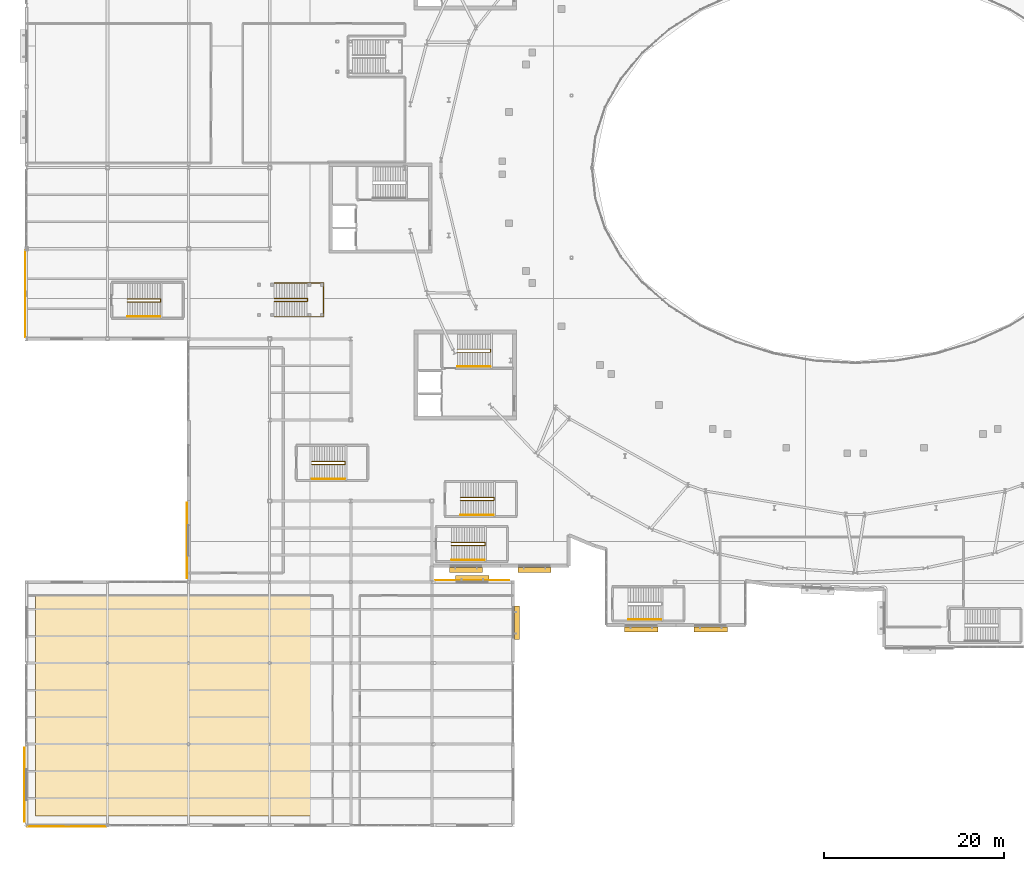
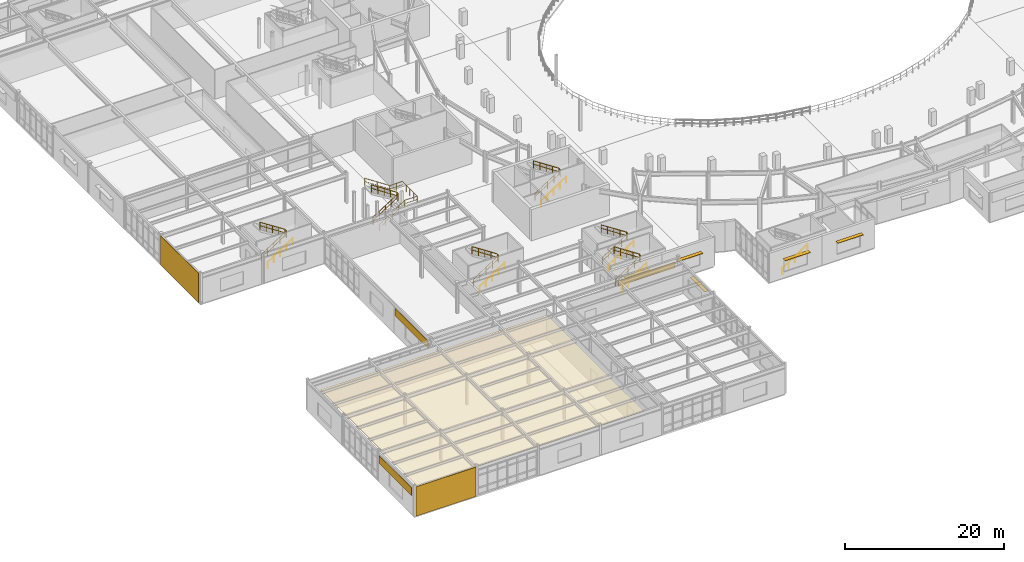
# One storey, part 78 of 84: 13 railings, 6 coverings, 6 shading devices.
"""IFC4 building model written with IfcOpenShell, lengths in metres."""

from ifc_helpers import new_model, si_unit, direction, frame, origin, origin_2d, place, context, subcontext, project, spatial, polyline, rectangle, circle, outline, extrude, material, layer, layer_set, type_object, element, save


model = new_model("IFC4")

# Units and contexts
model_context = context("Model", 3, precision=1e-05, world=origin(), true_north=direction((0.0, 1.0)))
body_context = subcontext(model_context, "Body", "Model", "MODEL_VIEW")
ifc_project = project(units=[si_unit("LENGTHUNIT", "METRE"), si_unit("AREAUNIT", "SQUARE_METRE"), si_unit("VOLUMEUNIT", "CUBIC_METRE"), si_unit("PLANEANGLEUNIT", "RADIAN"), si_unit("MASSUNIT", "GRAM", prefix="KILO")], contexts=[model_context])

# Site, building, storey
site_placement = place(None, origin())
site = spatial("IfcSite", under=ifc_project, at=site_placement, CompositionType="ELEMENT")
building_placement = place(site_placement, origin())
building = spatial("IfcBuilding", under=site, at=building_placement, Name="Glasvene Arena", CompositionType="ELEMENT")
storey_placement = place(building_placement, frame((0.0, 0.0, 10.199951171875)))
storey = spatial("IfcBuildingStorey", under=building, at=storey_placement, Name="L02", CompositionType="ELEMENT", Elevation=10.199951171875)

# Coverings
ifc_material_1 = material(Name="Perforated acoustic mineral ceiling tile")
ifc_layer_1 = layer(ifc_material_1, 0.0400390625)
ifc_layer_set_1 = layer_set([ifc_layer_1], Name="Perforated acoustic mineral ceiling tile")
covering_type_1 = type_object("IfcCoveringType", Name="COV-CEIL-AC", PredefinedType="CEILING", material=ifc_layer_set_1)
covering_1_placement = place(storey_placement, frame((17.5, 13.25, 3.580078125)))
element("IfcCovering", 1, at=covering_1_placement, inside=storey, type_object=covering_type_1, Name="Acoustic suspended ceiling Prairie Foyer Panorama Lounge", PredefinedType="CEILING", context=body_context, shape_type="SweptSolid", body=[
    extrude(outline(polyline([(16.47998046875, 12.22998046875), (16.47998046875, -12.22998046875), (-16.47998046875, -12.22998046875), (-16.47998046875, 12.22998046875), (16.47998046875, 12.22998046875)])), origin(), (0.0, 0.0, 1.0), 0.0400390625),
])
ifc_material_2 = material(Name="Coursed pale Irish limestone", Category="masonry")
ifc_layer_2 = layer(ifc_material_2, 0.050048828125)
ifc_layer_set_2 = layer_set([ifc_layer_2], Name="Coursed pale Irish limestone")
covering_type_2 = type_object("IfcCoveringType", Name="COV-CLAD-LIM", PredefinedType="CLADDING", material=ifc_layer_set_2)
covering_2_placement = place(storey_placement, frame((-0.139892578125, 58.998291015625, 0.0), z_axis=(0.0, 0.0, 1.0), x_axis=(0.0, 1.0, 0.0)))
element("IfcCovering", 2, at=covering_2_placement, inside=storey, type_object=covering_type_2, Name="Braced bay architectural cladding screen L02-000", PredefinedType="CLADDING", context=body_context, shape_type="SweptSolid", body=[
    extrude(rectangle(XDim=9.6328125, YDim=0.050048828125, at=origin_2d()), origin(), (0.0, 0.0, 1.0), 4.52001953125),
])
covering_3_placement = place(storey_placement, frame((49.489013671875, 27.199951171875, 2.9501953125), z_axis=(0.0, 0.0, 1.0), x_axis=(1.0, 0.0, 0.0)))
element("IfcCovering", 3, at=covering_3_placement, inside=storey, type_object=covering_type_2, Name="Irish limestone spandrel cladding EW-L02-0169", PredefinedType="CLADDING", context=body_context, shape_type="SweptSolid", body=[
    extrude(rectangle(XDim=8.2177734375, YDim=0.050048828125, at=origin_2d()), origin(), (0.0, 0.0, 1.0), 0.907470703125),
])
covering_4_placement = place(storey_placement, frame((4.489013671875, -0.139892578125, 0.0), z_axis=(0.0, 0.0, 1.0), x_axis=(-1.0, 0.0, 0.0)))
element("IfcCovering", 4, at=covering_4_placement, inside=storey, type_object=covering_type_2, Name="Braced bay architectural cladding screen L02-074", PredefinedType="CLADDING", context=body_context, shape_type="SweptSolid", body=[
    extrude(rectangle(XDim=8.7578125, YDim=0.050048828125, at=origin_2d()), origin(), (0.0, 0.0, 1.0), 4.52001953125),
])
covering_5_placement = place(storey_placement, frame((-0.199951171875, 4.489990234375, 2.9501953125), z_axis=(0.0, 0.0, 1.0), x_axis=(0.0, 1.0, 0.0)))
element("IfcCovering", 5, at=covering_5_placement, inside=storey, type_object=covering_type_2, Name="Irish limestone spandrel cladding EW-L02-0175", PredefinedType="CLADDING", context=body_context, shape_type="SweptSolid", body=[
    extrude(rectangle(XDim=8.2158203125, YDim=0.050048828125, at=origin_2d()), origin(), (0.0, 0.0, 1.0), 1.215087890625),
])
covering_6_placement = place(storey_placement, frame((17.800048828125, 31.593017578125, 2.9501953125), z_axis=(0.0, 0.0, 1.0), x_axis=(0.0, 1.0, 0.0)))
element("IfcCovering", 6, at=covering_6_placement, inside=storey, type_object=covering_type_2, Name="Irish limestone spandrel cladding EW-L02-0178", PredefinedType="CLADDING", context=body_context, shape_type="SweptSolid", body=[
    extrude(rectangle(XDim=8.382080078125, YDim=0.050048828125, at=origin_2d()), origin(), (0.0, 0.0, 1.0), 1.114990234375),
])

# Railings
ifc_material_3 = material(Name="Brushed stainless steel", Category="steel")
railing_type_1 = type_object("IfcRailingType", Name="RL-GUARD-1100", PredefinedType="GUARDRAIL", material=ifc_material_3)
railing_1_placement = place(storey_placement, frame((47.85009765625, 52.510009765625, 0.0)))
element("IfcRailing", 7, at=railing_1_placement, inside=storey, type_object=railing_type_1, Name="Stair inner well continuous guardrail ST-03-L02", PredefinedType="GUARDRAIL", context=body_context, shape_type="SweptSolid", body=[
    extrude(circle(Radius=0.02392578125, at=origin_2d()), frame((0.0, 0.0, 1.076171875), z_axis=(0.837590697589, 0.0, 0.546298291515), x_axis=(0.0, 1.0, 0.0)), (0.0, 0.0, 1.0), 4.3935546875),
    extrude(circle(Radius=0.01611328125, at=origin_2d()), frame((0.0, 0.0, 0.550048828125), z_axis=(0.837590697589, 0.0, 0.546298291515), x_axis=(0.0, 1.0, 0.0)), (0.0, 0.0, 1.0), 4.3935546875),
    extrude(circle(Radius=0.02392578125, at=origin_2d()), frame((3.679931640625, 0.0, 3.47607421875), z_axis=(0.0, 1.0, 0.0), x_axis=(-1.0, 0.0, 0.0)), (0.0, 0.0, 1.0), 0.330078125),
    extrude(circle(Radius=0.01611328125, at=origin_2d()), frame((3.679931640625, 0.0, 2.9501953125), z_axis=(0.0, 1.0, 0.0), x_axis=(-1.0, 0.0, 0.0)), (0.0, 0.0, 1.0), 0.330078125),
    extrude(circle(Radius=0.02392578125, at=origin_2d()), frame((3.679931640625, 0.330078125, 3.47607421875), z_axis=(-0.837616124378, 0.0, 0.546259304892), x_axis=(0.0, -1.0, 0.0)), (0.0, 0.0, 1.0), 4.393310546875),
    extrude(circle(Radius=0.01611328125, at=origin_2d()), frame((3.679931640625, 0.330078125, 2.9501953125), z_axis=(-0.837616124378, 0.0, 0.546259304892), x_axis=(0.0, -1.0, 0.0)), (0.0, 0.0, 1.0), 4.393310546875),
    extrude(circle(Radius=0.02099609375, at=origin_2d()), origin(), (0.0, 0.0, 1.0), 1.052001953125),
    extrude(circle(Radius=0.02099609375, at=origin_2d()), frame((0.919921875, 0.0, 0.60009765625)), (0.0, 0.0, 1.0), 1.052001953125),
    extrude(circle(Radius=0.02099609375, at=origin_2d()), frame((1.83984375, 0.0, 1.2001953125)), (0.0, 0.0, 1.0), 1.052001953125),
    extrude(circle(Radius=0.02099609375, at=origin_2d()), frame((2.760009765625, 0.0, 1.800048828125)), (0.0, 0.0, 1.0), 1.052001953125),
    extrude(circle(Radius=0.02099609375, at=origin_2d()), frame((3.679931640625, 0.0, 2.400146484375)), (0.0, 0.0, 1.0), 1.052001953125),
    extrude(circle(Radius=0.02099609375, at=origin_2d()), frame((3.679931640625, 0.330078125, 2.400146484375)), (0.0, 0.0, 1.0), 1.052001953125),
    extrude(circle(Radius=0.02099609375, at=origin_2d()), frame((2.760009765625, 0.330078125, 3.0)), (0.0, 0.0, 1.0), 1.052001953125),
    extrude(circle(Radius=0.02099609375, at=origin_2d()), frame((1.83984375, 0.330078125, 3.60009765625)), (0.0, 0.0, 1.0), 1.052001953125),
    extrude(circle(Radius=0.02099609375, at=origin_2d()), frame((0.919921875, 0.330078125, 4.2001953125)), (0.0, 0.0, 1.0), 1.052001953125),
    extrude(circle(Radius=0.02099609375, at=origin_2d()), frame((0.0, 0.330078125, 4.800048828125)), (0.0, 0.0, 1.0), 1.052001953125),
])
railing_2_placement = place(storey_placement, frame((48.199951171875, 36.06005859375, 0.0)))
element("IfcRailing", 8, at=railing_2_placement, inside=storey, type_object=railing_type_1, Name="Stair inner well continuous guardrail ST-05-L02", PredefinedType="GUARDRAIL", context=body_context, shape_type="SweptSolid", body=[
    extrude(circle(Radius=0.02392578125, at=origin_2d()), frame((0.0, 0.0, 1.076171875), z_axis=(0.837590697589, 0.0, 0.546298291515), x_axis=(0.0, 1.0, 0.0)), (0.0, 0.0, 1.0), 4.3935546875),
    extrude(circle(Radius=0.01611328125, at=origin_2d()), frame((0.0, 0.0, 0.550048828125), z_axis=(0.837590697589, 0.0, 0.546298291515), x_axis=(0.0, 1.0, 0.0)), (0.0, 0.0, 1.0), 4.3935546875),
    extrude(circle(Radius=0.02392578125, at=origin_2d()), frame((3.679931640625, 0.0, 3.47607421875), z_axis=(0.0, 1.0, 0.0), x_axis=(-1.0, 0.0, 0.0)), (0.0, 0.0, 1.0), 0.329833984375),
    extrude(circle(Radius=0.01611328125, at=origin_2d()), frame((3.679931640625, 0.0, 2.9501953125), z_axis=(0.0, 1.0, 0.0), x_axis=(-1.0, 0.0, 0.0)), (0.0, 0.0, 1.0), 0.329833984375),
    extrude(circle(Radius=0.02392578125, at=origin_2d()), frame((3.679931640625, 0.329833984375, 3.47607421875), z_axis=(-0.837616124378, 0.0, 0.546259304892), x_axis=(0.0, -1.0, 0.0)), (0.0, 0.0, 1.0), 4.393310546875),
    extrude(circle(Radius=0.01611328125, at=origin_2d()), frame((3.679931640625, 0.329833984375, 2.9501953125), z_axis=(-0.837616124378, 0.0, 0.546259304892), x_axis=(0.0, -1.0, 0.0)), (0.0, 0.0, 1.0), 4.393310546875),
    extrude(circle(Radius=0.02099609375, at=origin_2d()), origin(), (0.0, 0.0, 1.0), 1.052001953125),
    extrude(circle(Radius=0.02099609375, at=origin_2d()), frame((0.919921875, 0.0, 0.60009765625)), (0.0, 0.0, 1.0), 1.052001953125),
    extrude(circle(Radius=0.02099609375, at=origin_2d()), frame((1.83984375, 0.0, 1.2001953125)), (0.0, 0.0, 1.0), 1.052001953125),
    extrude(circle(Radius=0.02099609375, at=origin_2d()), frame((2.760009765625, 0.0, 1.800048828125)), (0.0, 0.0, 1.0), 1.052001953125),
    extrude(circle(Radius=0.02099609375, at=origin_2d()), frame((3.679931640625, 0.0, 2.400146484375)), (0.0, 0.0, 1.0), 1.052001953125),
    extrude(circle(Radius=0.02099609375, at=origin_2d()), frame((3.679931640625, 0.329833984375, 2.400146484375)), (0.0, 0.0, 1.0), 1.052001953125),
    extrude(circle(Radius=0.02099609375, at=origin_2d()), frame((2.760009765625, 0.329833984375, 3.0)), (0.0, 0.0, 1.0), 1.052001953125),
    extrude(circle(Radius=0.02099609375, at=origin_2d()), frame((1.83984375, 0.329833984375, 3.60009765625)), (0.0, 0.0, 1.0), 1.052001953125),
    extrude(circle(Radius=0.02099609375, at=origin_2d()), frame((0.919921875, 0.329833984375, 4.2001953125)), (0.0, 0.0, 1.0), 1.052001953125),
    extrude(circle(Radius=0.02099609375, at=origin_2d()), frame((0.0, 0.329833984375, 4.800048828125)), (0.0, 0.0, 1.0), 1.052001953125),
])
railing_3_placement = place(storey_placement, frame((11.199951171875, 58.110107421875, 0.0)))
element("IfcRailing", 9, at=railing_3_placement, inside=storey, type_object=railing_type_1, Name="Stair inner well continuous guardrail ST-13-L02", PredefinedType="GUARDRAIL", context=body_context, shape_type="SweptSolid", body=[
    extrude(circle(Radius=0.02392578125, at=origin_2d()), frame((0.0, 0.0, 1.076171875), z_axis=(0.837590697589, 0.0, 0.546298291515), x_axis=(0.0, 1.0, 0.0)), (0.0, 0.0, 1.0), 4.3935546875),
    extrude(circle(Radius=0.01611328125, at=origin_2d()), frame((0.0, 0.0, 0.550048828125), z_axis=(0.837590697589, 0.0, 0.546298291515), x_axis=(0.0, 1.0, 0.0)), (0.0, 0.0, 1.0), 4.3935546875),
    extrude(circle(Radius=0.02392578125, at=origin_2d()), frame((3.679931640625, 0.0, 3.47607421875), z_axis=(0.0, 1.0, 0.0), x_axis=(-1.0, 0.0, 0.0)), (0.0, 0.0, 1.0), 0.329833984375),
    extrude(circle(Radius=0.01611328125, at=origin_2d()), frame((3.679931640625, 0.0, 2.9501953125), z_axis=(0.0, 1.0, 0.0), x_axis=(-1.0, 0.0, 0.0)), (0.0, 0.0, 1.0), 0.329833984375),
    extrude(circle(Radius=0.02392578125, at=origin_2d()), frame((3.679931640625, 0.329833984375, 3.47607421875), z_axis=(-0.837616124378, 0.0, 0.546259304892), x_axis=(0.0, -1.0, 0.0)), (0.0, 0.0, 1.0), 4.393310546875),
    extrude(circle(Radius=0.01611328125, at=origin_2d()), frame((3.679931640625, 0.329833984375, 2.9501953125), z_axis=(-0.837616124378, 0.0, 0.546259304892), x_axis=(0.0, -1.0, 0.0)), (0.0, 0.0, 1.0), 4.393310546875),
    extrude(circle(Radius=0.02099609375, at=origin_2d()), origin(), (0.0, 0.0, 1.0), 1.052001953125),
    extrude(circle(Radius=0.02099609375, at=origin_2d()), frame((0.919921875, 0.0, 0.60009765625)), (0.0, 0.0, 1.0), 1.052001953125),
    extrude(circle(Radius=0.02099609375, at=origin_2d()), frame((1.83984375, 0.0, 1.2001953125)), (0.0, 0.0, 1.0), 1.052001953125),
    extrude(circle(Radius=0.02099609375, at=origin_2d()), frame((2.760009765625, 0.0, 1.800048828125)), (0.0, 0.0, 1.0), 1.052001953125),
    extrude(circle(Radius=0.02099609375, at=origin_2d()), frame((3.679931640625, 0.0, 2.400146484375)), (0.0, 0.0, 1.0), 1.052001953125),
    extrude(circle(Radius=0.02099609375, at=origin_2d()), frame((3.679931640625, 0.329833984375, 2.400146484375)), (0.0, 0.0, 1.0), 1.052001953125),
    extrude(circle(Radius=0.02099609375, at=origin_2d()), frame((2.760009765625, 0.329833984375, 3.0)), (0.0, 0.0, 1.0), 1.052001953125),
    extrude(circle(Radius=0.02099609375, at=origin_2d()), frame((1.83984375, 0.329833984375, 3.60009765625)), (0.0, 0.0, 1.0), 1.052001953125),
    extrude(circle(Radius=0.02099609375, at=origin_2d()), frame((0.919921875, 0.329833984375, 4.2001953125)), (0.0, 0.0, 1.0), 1.052001953125),
    extrude(circle(Radius=0.02099609375, at=origin_2d()), frame((0.0, 0.329833984375, 4.800048828125)), (0.0, 0.0, 1.0), 1.052001953125),
])
railing_4_placement = place(storey_placement, frame((31.699951171875, 40.06005859375, 0.0)))
element("IfcRailing", 10, at=railing_4_placement, inside=storey, type_object=railing_type_1, Name="Stair inner well continuous guardrail ST-15-L02", PredefinedType="GUARDRAIL", context=body_context, shape_type="SweptSolid", body=[
    extrude(circle(Radius=0.02392578125, at=origin_2d()), frame((0.0, 0.0, 1.076171875), z_axis=(0.837590697589, 0.0, 0.546298291515), x_axis=(0.0, 1.0, 0.0)), (0.0, 0.0, 1.0), 4.3935546875),
    extrude(circle(Radius=0.01611328125, at=origin_2d()), frame((0.0, 0.0, 0.550048828125), z_axis=(0.837590697589, 0.0, 0.546298291515), x_axis=(0.0, 1.0, 0.0)), (0.0, 0.0, 1.0), 4.3935546875),
    extrude(circle(Radius=0.02392578125, at=origin_2d()), frame((3.679931640625, 0.0, 3.47607421875), z_axis=(0.0, 1.0, 0.0), x_axis=(-1.0, 0.0, 0.0)), (0.0, 0.0, 1.0), 0.329833984375),
    extrude(circle(Radius=0.01611328125, at=origin_2d()), frame((3.679931640625, 0.0, 2.9501953125), z_axis=(0.0, 1.0, 0.0), x_axis=(-1.0, 0.0, 0.0)), (0.0, 0.0, 1.0), 0.329833984375),
    extrude(circle(Radius=0.02392578125, at=origin_2d()), frame((3.679931640625, 0.329833984375, 3.47607421875), z_axis=(-0.837616124378, 0.0, 0.546259304892), x_axis=(0.0, -1.0, 0.0)), (0.0, 0.0, 1.0), 4.393310546875),
    extrude(circle(Radius=0.01611328125, at=origin_2d()), frame((3.679931640625, 0.329833984375, 2.9501953125), z_axis=(-0.837616124378, 0.0, 0.546259304892), x_axis=(0.0, -1.0, 0.0)), (0.0, 0.0, 1.0), 4.393310546875),
    extrude(circle(Radius=0.02099609375, at=origin_2d()), origin(), (0.0, 0.0, 1.0), 1.052001953125),
    extrude(circle(Radius=0.02099609375, at=origin_2d()), frame((0.919921875, 0.0, 0.60009765625)), (0.0, 0.0, 1.0), 1.052001953125),
    extrude(circle(Radius=0.02099609375, at=origin_2d()), frame((1.83984375, 0.0, 1.2001953125)), (0.0, 0.0, 1.0), 1.052001953125),
    extrude(circle(Radius=0.02099609375, at=origin_2d()), frame((2.760009765625, 0.0, 1.800048828125)), (0.0, 0.0, 1.0), 1.052001953125),
    extrude(circle(Radius=0.02099609375, at=origin_2d()), frame((3.679931640625, 0.0, 2.400146484375)), (0.0, 0.0, 1.0), 1.052001953125),
    extrude(circle(Radius=0.02099609375, at=origin_2d()), frame((3.679931640625, 0.329833984375, 2.400146484375)), (0.0, 0.0, 1.0), 1.052001953125),
    extrude(circle(Radius=0.02099609375, at=origin_2d()), frame((2.760009765625, 0.329833984375, 3.0)), (0.0, 0.0, 1.0), 1.052001953125),
    extrude(circle(Radius=0.02099609375, at=origin_2d()), frame((1.83984375, 0.329833984375, 3.60009765625)), (0.0, 0.0, 1.0), 1.052001953125),
    extrude(circle(Radius=0.02099609375, at=origin_2d()), frame((0.919921875, 0.329833984375, 4.2001953125)), (0.0, 0.0, 1.0), 1.052001953125),
    extrude(circle(Radius=0.02099609375, at=origin_2d()), frame((0.0, 0.329833984375, 4.800048828125)), (0.0, 0.0, 1.0), 1.052001953125),
])
railing_5_placement = place(storey_placement, frame((47.199951171875, 31.06005859375, 0.0)))
element("IfcRailing", 11, at=railing_5_placement, inside=storey, type_object=railing_type_1, Name="Stair inner well continuous guardrail ST-16-L02", PredefinedType="GUARDRAIL", context=body_context, shape_type="SweptSolid", body=[
    extrude(circle(Radius=0.02392578125, at=origin_2d()), frame((0.0, 0.0, 1.076171875), z_axis=(0.837590697589, 0.0, 0.546298291515), x_axis=(0.0, 1.0, 0.0)), (0.0, 0.0, 1.0), 4.3935546875),
    extrude(circle(Radius=0.01611328125, at=origin_2d()), frame((0.0, 0.0, 0.550048828125), z_axis=(0.837590697589, 0.0, 0.546298291515), x_axis=(0.0, 1.0, 0.0)), (0.0, 0.0, 1.0), 4.3935546875),
    extrude(circle(Radius=0.02392578125, at=origin_2d()), frame((3.679931640625, 0.0, 3.47607421875), z_axis=(0.0, 1.0, 0.0), x_axis=(-1.0, 0.0, 0.0)), (0.0, 0.0, 1.0), 0.329833984375),
    extrude(circle(Radius=0.01611328125, at=origin_2d()), frame((3.679931640625, 0.0, 2.9501953125), z_axis=(0.0, 1.0, 0.0), x_axis=(-1.0, 0.0, 0.0)), (0.0, 0.0, 1.0), 0.329833984375),
    extrude(circle(Radius=0.02392578125, at=origin_2d()), frame((3.679931640625, 0.329833984375, 3.47607421875), z_axis=(-0.837616124378, 0.0, 0.546259304892), x_axis=(0.0, -1.0, 0.0)), (0.0, 0.0, 1.0), 4.393310546875),
    extrude(circle(Radius=0.01611328125, at=origin_2d()), frame((3.679931640625, 0.329833984375, 2.9501953125), z_axis=(-0.837616124378, 0.0, 0.546259304892), x_axis=(0.0, -1.0, 0.0)), (0.0, 0.0, 1.0), 4.393310546875),
    extrude(circle(Radius=0.02099609375, at=origin_2d()), origin(), (0.0, 0.0, 1.0), 1.052001953125),
    extrude(circle(Radius=0.02099609375, at=origin_2d()), frame((0.919921875, 0.0, 0.60009765625)), (0.0, 0.0, 1.0), 1.052001953125),
    extrude(circle(Radius=0.02099609375, at=origin_2d()), frame((1.83984375, 0.0, 1.2001953125)), (0.0, 0.0, 1.0), 1.052001953125),
    extrude(circle(Radius=0.02099609375, at=origin_2d()), frame((2.760009765625, 0.0, 1.800048828125)), (0.0, 0.0, 1.0), 1.052001953125),
    extrude(circle(Radius=0.02099609375, at=origin_2d()), frame((3.679931640625, 0.0, 2.400146484375)), (0.0, 0.0, 1.0), 1.052001953125),
    extrude(circle(Radius=0.02099609375, at=origin_2d()), frame((3.679931640625, 0.329833984375, 2.400146484375)), (0.0, 0.0, 1.0), 1.052001953125),
    extrude(circle(Radius=0.02099609375, at=origin_2d()), frame((2.760009765625, 0.329833984375, 3.0)), (0.0, 0.0, 1.0), 1.052001953125),
    extrude(circle(Radius=0.02099609375, at=origin_2d()), frame((1.83984375, 0.329833984375, 3.60009765625)), (0.0, 0.0, 1.0), 1.052001953125),
    extrude(circle(Radius=0.02099609375, at=origin_2d()), frame((0.919921875, 0.329833984375, 4.2001953125)), (0.0, 0.0, 1.0), 1.052001953125),
    extrude(circle(Radius=0.02099609375, at=origin_2d()), frame((0.0, 0.329833984375, 4.800048828125)), (0.0, 0.0, 1.0), 1.052001953125),
])
railing_6_placement = place(storey_placement, frame((27.5, 56.449951171875, 0.0)))
element("IfcRailing", 12, at=railing_6_placement, inside=storey, type_object=railing_type_1, Name="Vomitory Stair outer guard VOM-05", PredefinedType="GUARDRAIL", context=body_context, shape_type="SweptSolid", body=[
    extrude(circle(Radius=0.02392578125, at=origin_2d()), frame((0.0, 0.0, 1.076171875), z_axis=(0.834839479206, 0.0, 0.550493454965), x_axis=(0.0, 1.0, 0.0)), (0.0, 0.0, 1.0), 4.360107421875),
    extrude(circle(Radius=0.01611328125, at=origin_2d()), frame((0.0, 0.0, 0.550048828125), z_axis=(0.834839479206, 0.0, 0.550493454965), x_axis=(0.0, 1.0, 0.0)), (0.0, 0.0, 1.0), 4.360107421875),
    extrude(circle(Radius=0.02392578125, at=origin_2d()), frame((3.639892578125, 0.0, 3.47607421875), z_axis=(1.0, 0.0, 0.0), x_axis=(0.0, 1.0, 0.0)), (0.0, 0.0, 1.0), 1.85009765625),
    extrude(circle(Radius=0.01611328125, at=origin_2d()), frame((3.639892578125, 0.0, 2.9501953125), z_axis=(1.0, 0.0, 0.0), x_axis=(0.0, 1.0, 0.0)), (0.0, 0.0, 1.0), 1.85009765625),
    extrude(circle(Radius=0.02392578125, at=origin_2d()), frame((5.489990234375, 0.0, 3.47607421875), z_axis=(0.0, 1.0, 0.0), x_axis=(-1.0, 0.0, 0.0)), (0.0, 0.0, 1.0), 3.75),
    extrude(circle(Radius=0.01611328125, at=origin_2d()), frame((5.489990234375, 0.0, 2.9501953125), z_axis=(0.0, 1.0, 0.0), x_axis=(-1.0, 0.0, 0.0)), (0.0, 0.0, 1.0), 3.75),
    extrude(circle(Radius=0.02392578125, at=origin_2d()), frame((5.489990234375, 3.75, 3.47607421875), z_axis=(-1.0, 0.0, 0.0), x_axis=(0.0, -1.0, 0.0)), (0.0, 0.0, 1.0), 1.85009765625),
    extrude(circle(Radius=0.01611328125, at=origin_2d()), frame((5.489990234375, 3.75, 2.9501953125), z_axis=(-1.0, 0.0, 0.0), x_axis=(0.0, -1.0, 0.0)), (0.0, 0.0, 1.0), 1.85009765625),
    extrude(circle(Radius=0.02392578125, at=origin_2d()), frame((3.639892578125, 3.75, 3.47607421875), z_axis=(-0.834865213223, 0.0, 0.550454426587), x_axis=(0.0, -1.0, 0.0)), (0.0, 0.0, 1.0), 4.35986328125),
    extrude(circle(Radius=0.01611328125, at=origin_2d()), frame((3.639892578125, 3.75, 2.9501953125), z_axis=(-0.834865213223, 0.0, 0.550454426587), x_axis=(0.0, -1.0, 0.0)), (0.0, 0.0, 1.0), 4.35986328125),
    extrude(circle(Radius=0.02099609375, at=origin_2d()), origin(), (0.0, 0.0, 1.0), 1.052001953125),
    extrude(circle(Radius=0.02099609375, at=origin_2d()), frame((0.909912109375, 0.0, 0.60009765625)), (0.0, 0.0, 1.0), 1.052001953125),
    extrude(circle(Radius=0.02099609375, at=origin_2d()), frame((1.81982421875, 0.0, 1.2001953125)), (0.0, 0.0, 1.0), 1.052001953125),
    extrude(circle(Radius=0.02099609375, at=origin_2d()), frame((2.72998046875, 0.0, 1.800048828125)), (0.0, 0.0, 1.0), 1.052001953125),
    extrude(circle(Radius=0.02099609375, at=origin_2d()), frame((3.639892578125, 0.0, 2.400146484375)), (0.0, 0.0, 1.0), 1.052001953125),
    extrude(circle(Radius=0.02099609375, at=origin_2d()), frame((4.56494140625, 0.0, 2.400146484375)), (0.0, 0.0, 1.0), 1.052001953125),
    extrude(circle(Radius=0.02099609375, at=origin_2d()), frame((5.489990234375, 0.0, 2.400146484375)), (0.0, 0.0, 1.0), 1.052001953125),
    extrude(circle(Radius=0.02099609375, at=origin_2d()), frame((5.489990234375, 0.9375, 2.400146484375)), (0.0, 0.0, 1.0), 1.052001953125),
    extrude(circle(Radius=0.02099609375, at=origin_2d()), frame((5.489990234375, 1.875, 2.400146484375)), (0.0, 0.0, 1.0), 1.052001953125),
    extrude(circle(Radius=0.02099609375, at=origin_2d()), frame((5.489990234375, 2.8125, 2.400146484375)), (0.0, 0.0, 1.0), 1.052001953125),
    extrude(circle(Radius=0.02099609375, at=origin_2d()), frame((5.489990234375, 3.75, 2.400146484375)), (0.0, 0.0, 1.0), 1.052001953125),
    extrude(circle(Radius=0.02099609375, at=origin_2d()), frame((4.56494140625, 3.75, 2.400146484375)), (0.0, 0.0, 1.0), 1.052001953125),
    extrude(circle(Radius=0.02099609375, at=origin_2d()), frame((3.639892578125, 3.75, 2.400146484375)), (0.0, 0.0, 1.0), 1.052001953125),
    extrude(circle(Radius=0.02099609375, at=origin_2d()), frame((2.72998046875, 3.75, 3.0)), (0.0, 0.0, 1.0), 1.052001953125),
    extrude(circle(Radius=0.02099609375, at=origin_2d()), frame((1.81982421875, 3.75, 3.60009765625)), (0.0, 0.0, 1.0), 1.052001953125),
    extrude(circle(Radius=0.02099609375, at=origin_2d()), frame((0.909912109375, 3.75, 4.2001953125)), (0.0, 0.0, 1.0), 1.052001953125),
    extrude(circle(Radius=0.02099609375, at=origin_2d()), frame((0.0, 3.75, 4.800048828125)), (0.0, 0.0, 1.0), 1.052001953125),
])
railing_7_placement = place(storey_placement, frame((27.5, 58.159912109375, 0.0)))
element("IfcRailing", 13, at=railing_7_placement, inside=storey, type_object=railing_type_1, Name="Vomitory Stair inner well guard VOM-05", PredefinedType="GUARDRAIL", context=body_context, shape_type="SweptSolid", body=[
    extrude(circle(Radius=0.02392578125, at=origin_2d()), frame((0.0, 0.0, 1.076171875), z_axis=(0.837590697589, 0.0, 0.546298291515), x_axis=(0.0, 1.0, 0.0)), (0.0, 0.0, 1.0), 4.3935546875),
    extrude(circle(Radius=0.01611328125, at=origin_2d()), frame((0.0, 0.0, 0.550048828125), z_axis=(0.837590697589, 0.0, 0.546298291515), x_axis=(0.0, 1.0, 0.0)), (0.0, 0.0, 1.0), 4.3935546875),
    extrude(circle(Radius=0.02392578125, at=origin_2d()), frame((3.679931640625, 0.0, 3.47607421875), z_axis=(0.0, 1.0, 0.0), x_axis=(-1.0, 0.0, 0.0)), (0.0, 0.0, 1.0), 0.330078125),
    extrude(circle(Radius=0.01611328125, at=origin_2d()), frame((3.679931640625, 0.0, 2.9501953125), z_axis=(0.0, 1.0, 0.0), x_axis=(-1.0, 0.0, 0.0)), (0.0, 0.0, 1.0), 0.330078125),
    extrude(circle(Radius=0.02392578125, at=origin_2d()), frame((3.679931640625, 0.330078125, 3.47607421875), z_axis=(-0.837616124378, 0.0, 0.546259304892), x_axis=(0.0, -1.0, 0.0)), (0.0, 0.0, 1.0), 4.393310546875),
    extrude(circle(Radius=0.01611328125, at=origin_2d()), frame((3.679931640625, 0.330078125, 2.9501953125), z_axis=(-0.837616124378, 0.0, 0.546259304892), x_axis=(0.0, -1.0, 0.0)), (0.0, 0.0, 1.0), 4.393310546875),
    extrude(circle(Radius=0.02099609375, at=origin_2d()), origin(), (0.0, 0.0, 1.0), 1.052001953125),
    extrude(circle(Radius=0.02099609375, at=origin_2d()), frame((0.919921875, 0.0, 0.60009765625)), (0.0, 0.0, 1.0), 1.052001953125),
    extrude(circle(Radius=0.02099609375, at=origin_2d()), frame((1.83984375, 0.0, 1.2001953125)), (0.0, 0.0, 1.0), 1.052001953125),
    extrude(circle(Radius=0.02099609375, at=origin_2d()), frame((2.760009765625, 0.0, 1.800048828125)), (0.0, 0.0, 1.0), 1.052001953125),
    extrude(circle(Radius=0.02099609375, at=origin_2d()), frame((3.679931640625, 0.0, 2.400146484375)), (0.0, 0.0, 1.0), 1.052001953125),
    extrude(circle(Radius=0.02099609375, at=origin_2d()), frame((3.679931640625, 0.330078125, 2.400146484375)), (0.0, 0.0, 1.0), 1.052001953125),
    extrude(circle(Radius=0.02099609375, at=origin_2d()), frame((2.760009765625, 0.330078125, 3.0)), (0.0, 0.0, 1.0), 1.052001953125),
    extrude(circle(Radius=0.02099609375, at=origin_2d()), frame((1.83984375, 0.330078125, 3.60009765625)), (0.0, 0.0, 1.0), 1.052001953125),
    extrude(circle(Radius=0.02099609375, at=origin_2d()), frame((0.919921875, 0.330078125, 4.2001953125)), (0.0, 0.0, 1.0), 1.052001953125),
    extrude(circle(Radius=0.02099609375, at=origin_2d()), frame((0.0, 0.330078125, 4.800048828125)), (0.0, 0.0, 1.0), 1.052001953125),
])
railing_type_2 = type_object("IfcRailingType", Name="RL-HAND-950", PredefinedType="HANDRAIL", material=ifc_material_3)
railing_8_placement = place(storey_placement, frame((47.85009765625, 50.909912109375, 0.0)))
element("IfcRailing", 14, at=railing_8_placement, inside=storey, type_object=railing_type_2, Name="Stair wall handrail ST-03-L02", PredefinedType="HANDRAIL", context=body_context, shape_type="SweptSolid", body=[
    extrude(circle(Radius=0.02392578125, at=origin_2d()), frame((0.0, 0.0, 0.92578125), z_axis=(0.834839479206, 0.0, 0.550493454965), x_axis=(0.0, 1.0, 0.0)), (0.0, 0.0, 1.0), 4.360107421875),
    extrude(circle(Radius=0.02099609375, at=origin_2d()), origin(), (0.0, 0.0, 1.0), 0.90185546875),
    extrude(circle(Radius=0.02099609375, at=origin_2d()), frame((0.909912109375, 0.0, 0.60009765625)), (0.0, 0.0, 1.0), 0.90185546875),
    extrude(circle(Radius=0.02099609375, at=origin_2d()), frame((1.81982421875, 0.0, 1.2001953125)), (0.0, 0.0, 1.0), 0.90185546875),
    extrude(circle(Radius=0.02099609375, at=origin_2d()), frame((2.72998046875, 0.0, 1.800048828125)), (0.0, 0.0, 1.0), 0.90185546875),
    extrude(circle(Radius=0.02099609375, at=origin_2d()), frame((3.639892578125, 0.0, 2.400146484375)), (0.0, 0.0, 1.0), 0.90185546875),
])
railing_9_placement = place(storey_placement, frame((48.199951171875, 34.4599609375, 0.0)))
element("IfcRailing", 15, at=railing_9_placement, inside=storey, type_object=railing_type_2, Name="Stair wall handrail ST-05-L02", PredefinedType="HANDRAIL", context=body_context, shape_type="SweptSolid", body=[
    extrude(circle(Radius=0.02392578125, at=origin_2d()), frame((0.0, 0.0, 0.92578125), z_axis=(0.834856447115, 0.0, 0.55046772177), x_axis=(0.0, 1.0, 0.0)), (0.0, 0.0, 1.0), 4.360107421875),
    extrude(circle(Radius=0.02099609375, at=origin_2d()), origin(), (0.0, 0.0, 1.0), 0.90185546875),
    extrude(circle(Radius=0.02099609375, at=origin_2d()), frame((0.91015625, 0.0, 0.60009765625)), (0.0, 0.0, 1.0), 0.90185546875),
    extrude(circle(Radius=0.02099609375, at=origin_2d()), frame((1.820068359375, 0.0, 1.2001953125)), (0.0, 0.0, 1.0), 0.90185546875),
    extrude(circle(Radius=0.02099609375, at=origin_2d()), frame((2.72998046875, 0.0, 1.800048828125)), (0.0, 0.0, 1.0), 0.90185546875),
    extrude(circle(Radius=0.02099609375, at=origin_2d()), frame((3.64013671875, 0.0, 2.400146484375)), (0.0, 0.0, 1.0), 0.90185546875),
])
railing_10_placement = place(storey_placement, frame((66.800048828125, 22.860107421875, 0.0)))
element("IfcRailing", 16, at=railing_10_placement, inside=storey, type_object=railing_type_2, Name="Stair wall handrail ST-08-L02", PredefinedType="HANDRAIL", context=body_context, shape_type="SweptSolid", body=[
    extrude(circle(Radius=0.02392578125, at=origin_2d()), frame((0.0, 0.0, 0.92578125), z_axis=(0.834839479206, 0.0, 0.550493454965), x_axis=(0.0, 1.0, 0.0)), (0.0, 0.0, 1.0), 4.360107421875),
    extrude(circle(Radius=0.02099609375, at=origin_2d()), origin(), (0.0, 0.0, 1.0), 0.90185546875),
    extrude(circle(Radius=0.02099609375, at=origin_2d()), frame((0.909912109375, 0.0, 0.60009765625)), (0.0, 0.0, 1.0), 0.90185546875),
    extrude(circle(Radius=0.02099609375, at=origin_2d()), frame((1.81982421875, 0.0, 1.2001953125)), (0.0, 0.0, 1.0), 0.90185546875),
    extrude(circle(Radius=0.02099609375, at=origin_2d()), frame((2.72998046875, 0.0, 1.800048828125)), (0.0, 0.0, 1.0), 0.90185546875),
    extrude(circle(Radius=0.02099609375, at=origin_2d()), frame((3.639892578125, 0.0, 2.400146484375)), (0.0, 0.0, 1.0), 0.90185546875),
])
for number, where, name in (
    (17, (11.199951171875, 56.4599609375, 0.0), "Stair wall handrail ST-13-L02"),
    (18, (31.699951171875, 38.4599609375, 0.0), "Stair wall handrail ST-15-L02"),
    (19, (47.199951171875, 29.4599609375, 0.0), "Stair wall handrail ST-16-L02"),
):
    element("IfcRailing", number, at=place(storey_placement, frame(where)), inside=storey, type_object=railing_type_2, Name=name, PredefinedType="HANDRAIL", context=body_context, shape_type="SweptSolid", body=[
        extrude(circle(Radius=0.02392578125, at=origin_2d()), frame((0.0, 0.0, 0.92578125), z_axis=(0.834856447115, 0.0, 0.55046772177), x_axis=(0.0, 1.0, 0.0)), (0.0, 0.0, 1.0), 4.360107421875),
        extrude(circle(Radius=0.02099609375, at=origin_2d()), origin(), (0.0, 0.0, 1.0), 0.90185546875),
        extrude(circle(Radius=0.02099609375, at=origin_2d()), frame((0.91015625, 0.0, 0.60009765625)), (0.0, 0.0, 1.0), 0.90185546875),
        extrude(circle(Radius=0.02099609375, at=origin_2d()), frame((1.820068359375, 0.0, 1.2001953125)), (0.0, 0.0, 1.0), 0.90185546875),
        extrude(circle(Radius=0.02099609375, at=origin_2d()), frame((2.72998046875, 0.0, 1.800048828125)), (0.0, 0.0, 1.0), 0.90185546875),
        extrude(circle(Radius=0.02099609375, at=origin_2d()), frame((3.64013671875, 0.0, 2.400146484375)), (0.0, 0.0, 1.0), 0.90185546875),
    ])

# Shading devices
ifc_material_4 = material(Name="Warm bronze architectural aluminium", Category="aluminium")
ifc_layer_3 = layer(ifc_material_4, 0.06005859375)
ifc_layer_set_3 = layer_set([ifc_layer_3], Name="Warm bronze architectural aluminium")
shading_device_type = type_object("IfcShadingDeviceType", Name="SHD-BRONZE-FIN", PredefinedType="USERDEFINED", material=ifc_layer_set_3)
for number, where, z_axis, x_axis, name in (
    (20, (75.949951171875, 21.7548828125, 2.969970703125), (0.0, 0.0, 1.0), (-1.0, 0.0, 0.0), "Warm bronze brise-soleil fin BS-059"),
    (21, (68.25, 21.7548828125, 2.969970703125), (0.0, 0.0, 1.0), (-1.0, 0.0, 0.0), "Warm bronze brise-soleil fin BS-060"),
    (22, (56.39990234375, 28.35498046875, 2.969970703125), (0.0, 0.0, 1.0), (-1.0, 0.0, 0.0), "Warm bronze brise-soleil fin BS-061"),
    (23, (48.800048828125, 28.35498046875, 2.969970703125), (0.0, 0.0, 1.0), (-1.0, 0.0, 0.0), "Warm bronze brise-soleil fin BS-062"),
    (24, (49.489013671875, 27.445068359375, 2.969970703125), (0.0, 0.0, 1.0), (1.0, 0.0, 0.0), "Warm bronze brise-soleil fin BS-063"),
    (25, (54.445068359375, 22.489990234375, 2.969970703125), (0.0, 0.0, 1.0), (0.0, -1.0, 0.0), "Warm bronze brise-soleil fin BS-064"),
):
    element("IfcShadingDevice", number, at=place(storey_placement, frame(where, z_axis=z_axis, x_axis=x_axis)), inside=storey, type_object=shading_device_type, Name=name, ObjectType="BRISE SOLEIL", PredefinedType="USERDEFINED", context=body_context, shape_type="SweptSolid", body=[
        extrude(rectangle(XDim=3.699951171875, YDim=0.550048828125, at=origin_2d()), origin(), (0.0, 0.0, 1.0), 0.06005859375),
    ])

save(model, "model.ifc")
